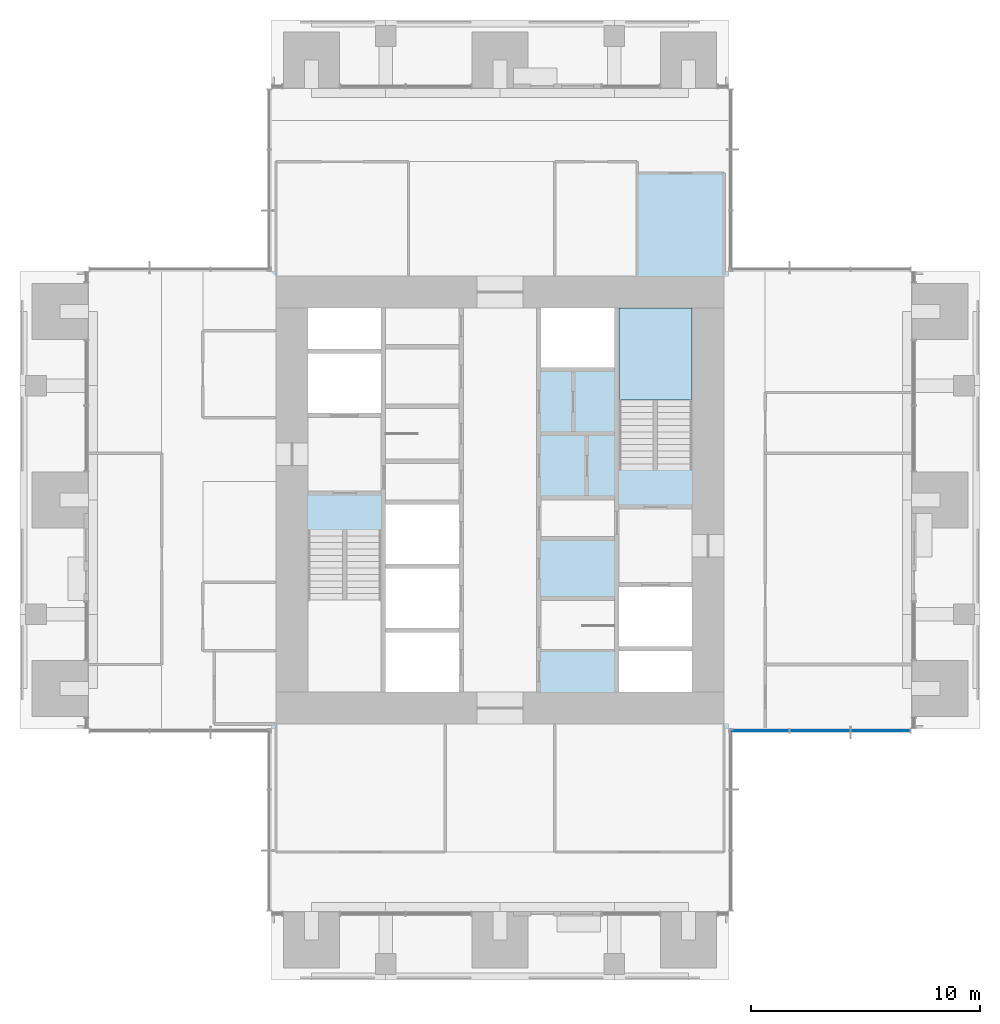
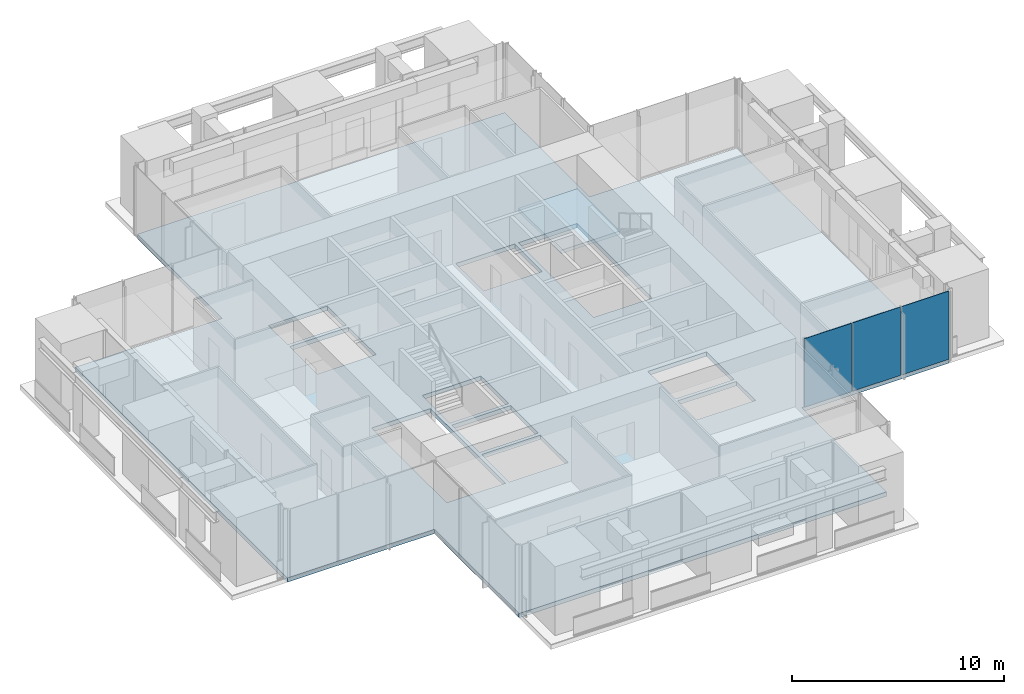
# One storey, part 9 of 17: 3 plates, 2 slabs, 2 elements without a shape of their own.
"""IFC4 building model written with IfcOpenShell, lengths in metres."""

from ifc_helpers import new_model, si_unit, direction, frame, origin, origin_2d, place, context, subcontext, project, spatial, polyline, rectangle, outline, extrude, material, layer, layer_set, type_object, element, aggregate, save


model = new_model("IFC4")

# Units and contexts
model_context = context("Model", 3, precision=1e-05, world=origin(), true_north=direction((0.0, 1.0)))
body_context = subcontext(model_context, "Body", "Model", "MODEL_VIEW")
ifc_project = project(units=[si_unit("LENGTHUNIT", "METRE"), si_unit("AREAUNIT", "SQUARE_METRE"), si_unit("VOLUMEUNIT", "CUBIC_METRE"), si_unit("PLANEANGLEUNIT", "RADIAN"), si_unit("MASSUNIT", "GRAM", prefix="KILO")], contexts=[model_context])

# Site, building, storey
site_placement = place(None, origin())
site = spatial("IfcSite", under=ifc_project, at=site_placement, CompositionType="ELEMENT")
building_placement = place(site_placement, origin())
building = spatial("IfcBuilding", under=site, at=building_placement, Name="Svetlomir Tower", CompositionType="ELEMENT")
storey_placement = place(building_placement, frame((0.0, 0.0, 210.5)))
storey = spatial("IfcBuildingStorey", under=building, at=storey_placement, Name="L50", CompositionType="ELEMENT", Elevation=210.5)

# Curtain wall, plates
ifc_material_1 = material(Name="Bronze anodised aluminium curtain wall", Category="aluminium")
curtain_wall_type = type_object("IfcCurtainWallType", Name="CURTAIN WALL CW1 TOWER OFFICE", PredefinedType="NOTDEFINED", material=ifc_material_1)
curtain_wall_placement = place(storey_placement, origin())
curtain_wall = element("IfcCurtainWall", 1, at=curtain_wall_placement, inside=storey, type_object=curtain_wall_type, Name="Curtain wall CW1 L50", PredefinedType="NOTDEFINED")
ifc_material_2 = material(Name="Tinted double glazed unit", Category="glass")
ifc_layer_1 = layer(ifc_material_2, 0.031982421875)
ifc_layer_set_1 = layer_set([ifc_layer_1], Name="Tinted double glazed unit")
plate_type = type_object("IfcPlateType", Name="CW1 GLAZED PANEL 32", PredefinedType="CURTAIN_PANEL", material=ifc_layer_set_1)
plate_1_placement = place(storey_placement, frame((32.349609375, 10.89990234375, 0.06494140625), z_axis=(0.0, 0.0, 1.0), x_axis=(1.0, 0.0, 0.0)))
plate_1 = element("IfcPlate", 2, at=plate_1_placement, type_object=plate_type, Name="CW1 panel 1.1", PredefinedType="CURTAIN_PANEL", context=body_context, shape_type="SweptSolid", body=[
    extrude(rectangle(XDim=2.569091796875, YDim=0.031982421875, at=origin_2d()), origin(), (0.0, 0.0, 1.0), 3.93505859375),
])
plate_2_placement = place(storey_placement, frame((35.0, 10.89990234375, 0.06494140625), z_axis=(0.0, 0.0, 1.0), x_axis=(1.0, 0.0, 0.0)))
plate_2 = element("IfcPlate", 3, at=plate_2_placement, type_object=plate_type, Name="CW1 panel 2.1", PredefinedType="CURTAIN_PANEL", context=body_context, shape_type="SweptSolid", body=[
    extrude(rectangle(XDim=2.6015625, YDim=0.031982421875, at=origin_2d()), origin(), (0.0, 0.0, 1.0), 3.93505859375),
])
plate_3_placement = place(storey_placement, frame((37.650390625, 10.89990234375, 0.06494140625), z_axis=(0.0, 0.0, 1.0), x_axis=(1.0, 0.0, 0.0)))
plate_3 = element("IfcPlate", 4, at=plate_3_placement, type_object=plate_type, Name="CW1 panel 3.1", PredefinedType="CURTAIN_PANEL", context=body_context, shape_type="SweptSolid", body=[
    extrude(rectangle(XDim=2.569091796875, YDim=0.031982421875, at=origin_2d()), origin(), (0.0, 0.0, 1.0), 3.93505859375),
])
aggregate(curtain_wall, [plate_1, plate_2, plate_3])

# Slab
ifc_material_3 = material(Name="Concrete C60/75", Category="concrete")
ifc_layer_2 = layer(ifc_material_3, 0.25)
ifc_layer_set_2 = layer_set([ifc_layer_2], Name="Concrete C60/75")
slab_type_1 = type_object("IfcSlabType", Name="FLOOR SLAB 250", PredefinedType="FLOOR", material=ifc_layer_set_2)
slab_1_placement = place(storey_placement, frame((0.0, 0.0, -0.25)))
element("IfcSlab", 5, at=slab_1_placement, inside=storey, type_object=slab_type_1, Name="L50 floor slab", PredefinedType="FLOOR", context=body_context, shape_type="SweptSolid", body=[
    extrude(outline(polyline([(11.0, 3.0), (31.0, 3.0), (31.0, 11.0), (39.0, 11.0), (39.0, 31.0), (31.0, 31.0), (31.0, 39.0), (11.0, 39.0), (11.0, 31.0), (3.0, 31.0), (3.0, 11.0), (11.0, 11.0), (11.0, 3.0)]), holes=[polyline([(12.60009765625, 24.800048828125), (15.800048828125, 24.800048828125), (15.800048828125, 27.39990234375), (12.60009765625, 27.39990234375), (12.60009765625, 24.800048828125)]), polyline([(26.199951171875, 14.60009765625), (29.39990234375, 14.60009765625), (29.39990234375, 17.199951171875), (26.199951171875, 17.199951171875), (26.199951171875, 14.60009765625)]), polyline([(16.0, 12.60009765625), (19.199951171875, 12.60009765625), (19.199951171875, 15.199951171875), (16.0, 15.199951171875), (16.0, 12.60009765625)]), polyline([(16.0, 15.39990234375), (19.199951171875, 15.39990234375), (19.199951171875, 18.0), (16.0, 18.0), (16.0, 15.39990234375)]), polyline([(16.0, 18.199951171875), (19.199951171875, 18.199951171875), (19.199951171875, 20.800048828125), (16.0, 20.800048828125), (16.0, 18.199951171875)]), polyline([(22.800048828125, 26.800048828125), (26.0, 26.800048828125), (26.0, 29.39990234375), (22.800048828125, 29.39990234375), (22.800048828125, 26.800048828125)]), polyline([(12.60009765625, 27.60009765625), (15.800048828125, 27.60009765625), (15.800048828125, 29.39990234375), (12.60009765625, 29.39990234375), (12.60009765625, 27.60009765625)]), polyline([(26.199951171875, 12.60009765625), (29.39990234375, 12.60009765625), (29.39990234375, 14.39990234375), (26.199951171875, 14.39990234375), (26.199951171875, 12.60009765625)]), polyline([(12.60009765625, 12.60009765625), (15.800048828125, 12.60009765625), (15.800048828125, 19.679931640625), (12.60009765625, 19.679931640625), (12.60009765625, 12.60009765625)]), polyline([(26.199951171875, 22.320068359375), (29.39990234375, 22.320068359375), (29.39990234375, 29.39990234375), (26.199951171875, 29.39990234375), (26.199951171875, 22.320068359375)])]), origin(), (0.0, 0.0, 1.0), 0.25),
])

# Stair, slab
ifc_material_4 = material(Name="Concrete C60/75", Category="concrete")
stair_type = type_object("IfcStairType", Name="EXIT STAIR 3200 RISE 4000", PredefinedType="HALF_TURN_STAIR", material=ifc_material_4)
stair_placement = place(storey_placement, origin())
stair = element("IfcStair", 6, at=stair_placement, inside=storey, type_object=stair_type, Name="Stair S2 L50 to L51", PredefinedType="HALF_TURN_STAIR")
ifc_material_5 = material(Name="Concrete C60/75", Category="concrete")
ifc_layer_3 = layer(ifc_material_5, 0.199951171875)
ifc_layer_set_3 = layer_set([ifc_layer_3], Name="Concrete C60/75")
slab_type_2 = type_object("IfcSlabType", Name="STAIR LANDING 200", PredefinedType="LANDING", material=ifc_layer_set_3)
slab_2_placement = place(storey_placement, frame((0.0, 0.0, 1.800048828125)))
slab_2 = element("IfcSlab", 7, at=slab_2_placement, type_object=slab_type_2, Name="S2 landing 1", PredefinedType="LANDING", context=body_context, shape_type="SweptSolid", body=[
    extrude(outline(polyline([(26.199951171875, 25.3798828125), (29.39990234375, 25.3798828125), (29.39990234375, 29.39990234375), (26.199951171875, 29.39990234375), (26.199951171875, 25.3798828125)])), origin(), (0.0, 0.0, 1.0), 0.199951171875),
])
aggregate(stair, [slab_2])

save(model, "model.ifc")
